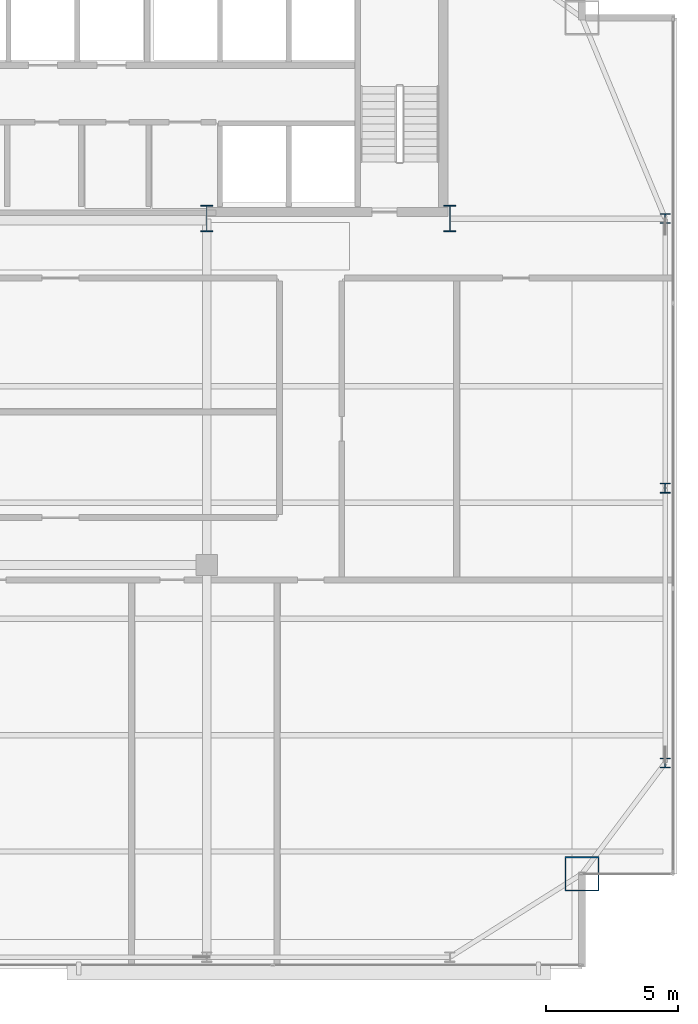
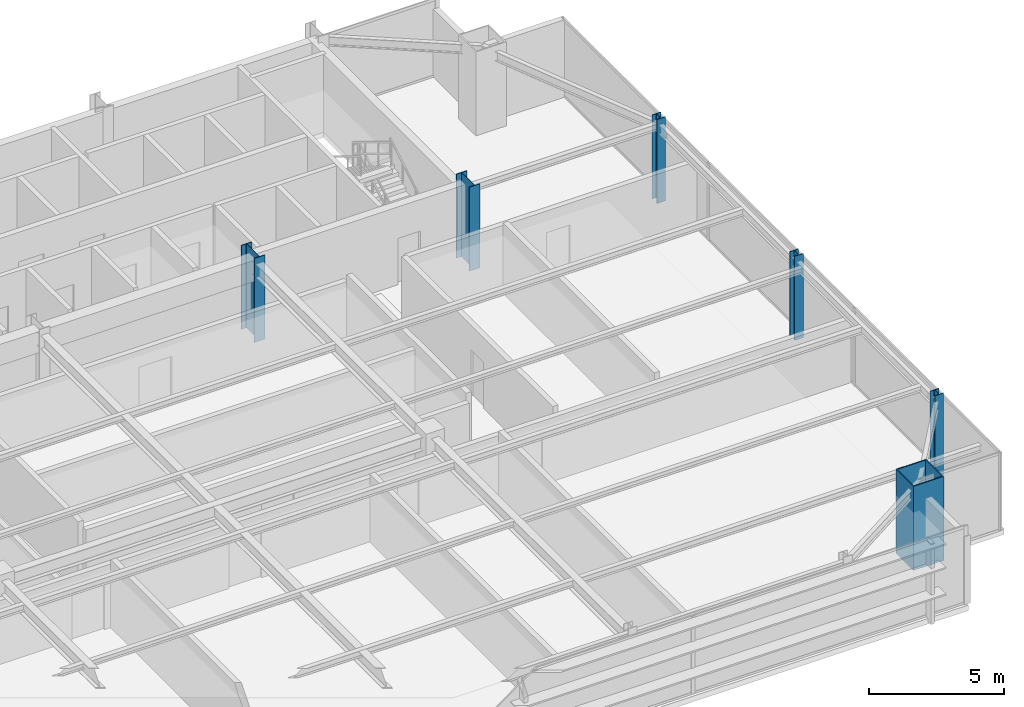
# One storey, part 2 of 29: 6 columns.
"""IFC4 building model written with IfcOpenShell, lengths in metres."""

from ifc_helpers import new_model, si_unit, direction, frame, origin, origin_2d, place, context, subcontext, project, spatial, hollow_rectangle, i_section, extrude, source, transform, mapped, material, material_profile, profile_set, type_object, type_shapes, element, save


model = new_model("IFC4")

# Units and contexts
model_context = context("Model", 3, precision=1e-05, world=origin(), true_north=direction((0.0, 1.0)))
body_context = subcontext(model_context, "Body", "Model", "MODEL_VIEW")
ifc_project = project(units=[si_unit("LENGTHUNIT", "METRE"), si_unit("AREAUNIT", "SQUARE_METRE"), si_unit("VOLUMEUNIT", "CUBIC_METRE"), si_unit("PLANEANGLEUNIT", "RADIAN"), si_unit("MASSUNIT", "GRAM", prefix="KILO")], contexts=[model_context])

# Site, building, storey
site_placement = place(None, origin())
site = spatial("IfcSite", under=ifc_project, at=site_placement, CompositionType="ELEMENT")
building_placement = place(site_placement, origin())
building = spatial("IfcBuilding", under=site, at=building_placement, Name="Varnel Quay Broadcast Tower", CompositionType="ELEMENT")
storey_placement = place(building_placement, frame((0.0, 0.0, 187.60009765625)))
storey = spatial("IfcBuildingStorey", under=building, at=storey_placement, Name="L46", CompositionType="ELEMENT", Elevation=187.60009765625)

# Columns
ifc_material_1 = material(Name="Structural Steel CSA G40.21 350WT", Category="steel")
ifc_material_profile_1 = material_profile(ifc_material_1, i_section(OverallWidth=0.449951171875, OverallDepth=1.0, WebThickness=0.01611328125, FlangeThickness=0.030029296875, FilletRadius=0.01611328125, at=origin_2d()), Name="WWF1000X362")
ifc_profile_set_1 = profile_set([ifc_material_profile_1], Name="Structural Steel CSA G40.21 350WT")
column_type_1 = type_object("IfcColumnType", Name="Col_WWF1000X362", PredefinedType="COLUMN", material=ifc_profile_set_1)
shared_shape_1 = source(origin(), body_context, "Body", "SweptSolid", [
    extrude(i_section(OverallWidth=0.449951171875, OverallDepth=1.0, WebThickness=0.01611328125, FlangeThickness=0.030029296875, FilletRadius=0.01611328125, at=origin_2d()), origin(), (0.0, 0.0, 1.0), 3.7998046875),
])
type_shapes(column_type_1, [shared_shape_1])
for number, where, z_axis, x_axis, name in (
    (1, (43.199951171875, 35.60009765625, 0.0), (0.0, 0.0, 1.0), (1.0, 0.0, 0.0), "L46 Column CC-S4"),
    (2, (52.39990234375, 35.60009765625, 0.0), (0.0, 0.0, 1.0), (1.0, 0.0, 0.0), "L46 Column CC-S5"),
):
    element("IfcColumn", number, at=place(storey_placement, frame(where, z_axis=z_axis, x_axis=x_axis)), inside=storey, type_object=column_type_1, Name=name, PredefinedType="COLUMN", context=body_context, shape_type="MappedRepresentation", body=[
        mapped(shared_shape_1, transform((0.0, 0.0, 0.0), x_axis=(1.0, 0.0, 0.0), y_axis=(0.0, 1.0, 0.0), z_axis=(0.0, 0.0, 1.0), scale=1.0)),
    ])
ifc_material_profile_2 = material_profile(ifc_material_1, hollow_rectangle(XDim=1.300048828125, YDim=1.300048828125, WallThickness=0.050048828125, at=origin_2d()), Name="BOX1300X1300X50")
ifc_profile_set_2 = profile_set([ifc_material_profile_2], Name="Structural Steel CSA G40.21 350WT")
column_type_2 = type_object("IfcColumnType", Name="Col_BOX1300X1300X50", PredefinedType="COLUMN", material=ifc_profile_set_2)
shared_shape_2 = source(origin(), body_context, "Body", "SweptSolid", [
    extrude(hollow_rectangle(XDim=1.300048828125, YDim=1.300048828125, WallThickness=0.050048828125, at=origin_2d()), origin(), (0.0, 0.0, 1.0), 3.7998046875),
])
type_shapes(column_type_2, [shared_shape_2])
column_placement = place(storey_placement, frame((57.39990234375, 10.800048828125, 0.0), z_axis=(0.0, 0.0, 1.0), x_axis=(1.0, 0.0, 0.0)))
element("IfcColumn", 3, at=column_placement, inside=storey, type_object=column_type_2, Name="L46 Column MC-SE", PredefinedType="COLUMN", context=body_context, shape_type="MappedRepresentation", body=[
    mapped(shared_shape_2, transform((0.0, 0.0, 0.0), x_axis=(1.0, 0.0, 0.0), y_axis=(0.0, 1.0, 0.0), z_axis=(0.0, 0.0, 1.0), scale=1.0)),
])
ifc_material_2 = material(Name="Structural Steel CSA G40.21 350W", Category="steel")
ifc_material_profile_3 = material_profile(ifc_material_2, i_section(OverallWidth=0.3740234375, OverallDepth=0.3720703125, WebThickness=0.016357421875, FlangeThickness=0.026123046875, FilletRadius=0.01611328125, at=origin_2d()), Name="W360X196")
ifc_profile_set_3 = profile_set([ifc_material_profile_3], Name="Structural Steel CSA G40.21 350W")
column_type_3 = type_object("IfcColumnType", Name="Col_W360X196", PredefinedType="COLUMN", material=ifc_profile_set_3)
shared_shape_3 = source(origin(), body_context, "Body", "SweptSolid", [
    extrude(i_section(OverallWidth=0.3740234375, OverallDepth=0.3720703125, WebThickness=0.016357421875, FlangeThickness=0.026123046875, FilletRadius=0.01611328125, at=origin_2d()), origin(), (0.0, 0.0, 1.0), 3.7998046875),
])
type_shapes(column_type_3, [shared_shape_3])
for number, where, z_axis, x_axis, name in (
    (4, (60.550048828125, 15.0, 0.0), (0.0, 0.0, 1.0), (1.0, 0.0, 0.0), "L46 Column TC-E1"),
    (5, (60.550048828125, 25.39990234375, 0.0), (0.0, 0.0, 1.0), (1.0, 0.0, 0.0), "L46 Column TC-E2"),
    (6, (60.550048828125, 35.60009765625, 0.0), (0.0, 0.0, 1.0), (1.0, 0.0, 0.0), "L46 Column TC-E3"),
):
    element("IfcColumn", number, at=place(storey_placement, frame(where, z_axis=z_axis, x_axis=x_axis)), inside=storey, type_object=column_type_3, Name=name, PredefinedType="COLUMN", context=body_context, shape_type="MappedRepresentation", body=[
        mapped(shared_shape_3, transform((0.0, 0.0, 0.0), x_axis=(1.0, 0.0, 0.0), y_axis=(0.0, 1.0, 0.0), z_axis=(0.0, 0.0, 1.0), scale=1.0)),
    ])

save(model, "model.ifc")
